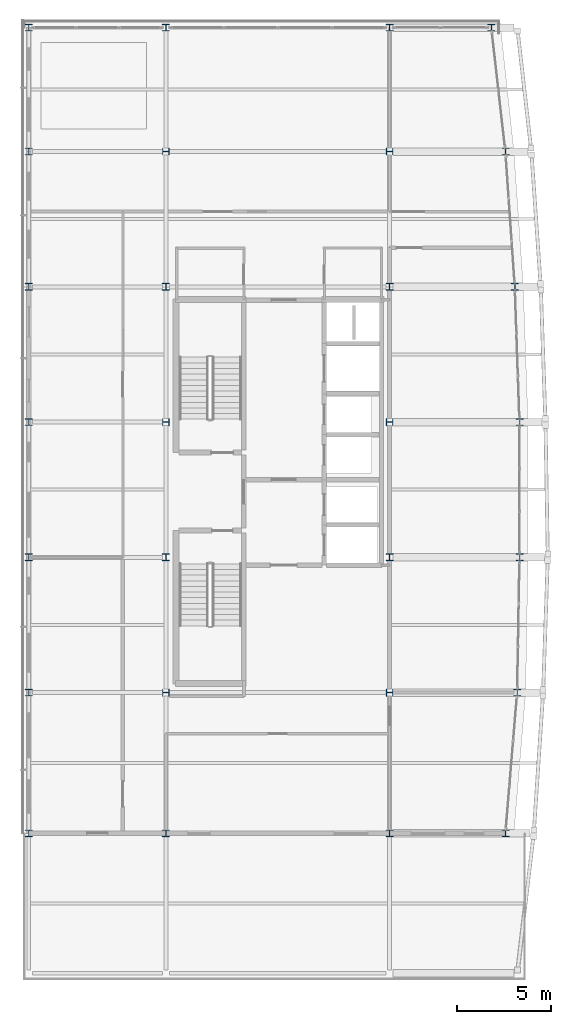
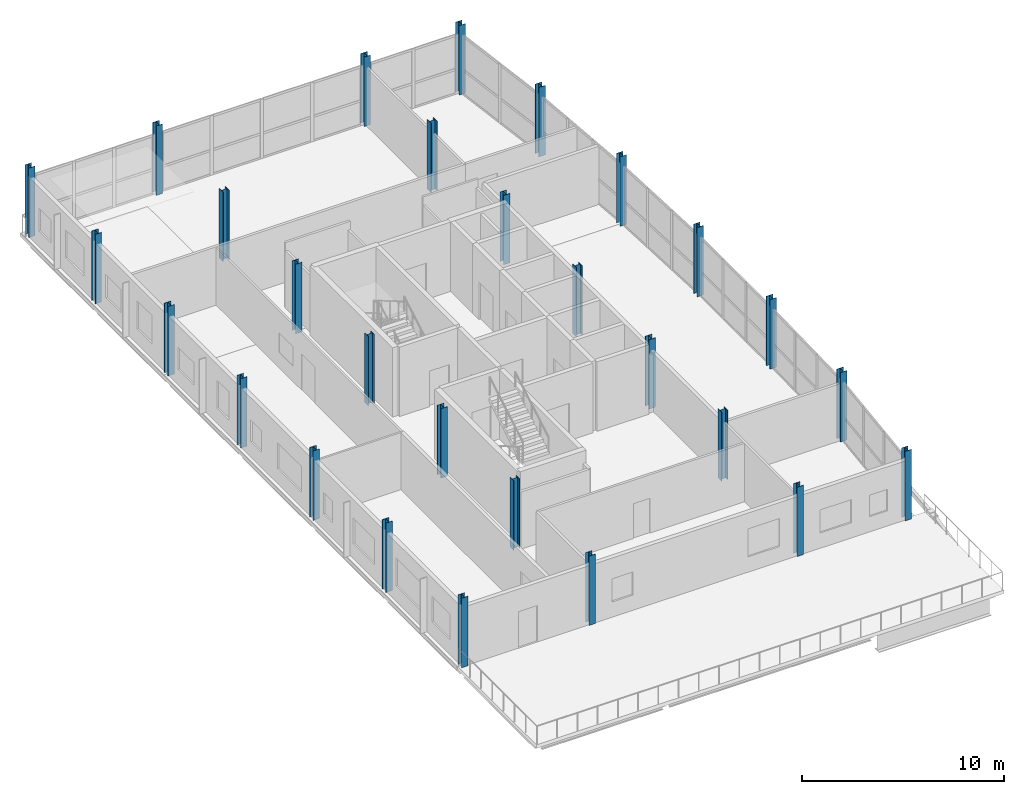
# One storey, part 1 of 19: 28 columns.
"""IFC4 building model written with IfcOpenShell, lengths in metres."""

from ifc_helpers import new_model, si_unit, direction, frame, origin, origin_2d, place, context, subcontext, project, spatial, i_section, extrude, material, material_profile, profile_set, type_object, element, save


model = new_model("IFC4")

# Units and contexts
model_context = context("Model", 3, precision=1e-05, world=origin(), true_north=direction((0.0, 1.0)))
body_context = subcontext(model_context, "Body", "Model", "MODEL_VIEW")
ifc_project = project(units=[si_unit("LENGTHUNIT", "METRE"), si_unit("AREAUNIT", "SQUARE_METRE"), si_unit("VOLUMEUNIT", "CUBIC_METRE"), si_unit("PLANEANGLEUNIT", "RADIAN"), si_unit("MASSUNIT", "GRAM", prefix="KILO")], contexts=[model_context])

# Site, building, storey
site_placement = place(None, origin())
site = spatial("IfcSite", under=ifc_project, at=site_placement, CompositionType="ELEMENT")
building_placement = place(site_placement, origin())
building = spatial("IfcBuilding", under=site, at=building_placement, Name="Quillay Park Conservatory", CompositionType="ELEMENT")
storey_placement = place(building_placement, frame((0.0, 0.0, 35.10009765625)))
storey = spatial("IfcBuildingStorey", under=building, at=storey_placement, Name="L08", CompositionType="ELEMENT", Elevation=35.10009765625)

# Columns
ifc_material = material(Name="Steel ASTM A992 Grade 50", Category="steel")
ifc_material_profile = material_profile(ifc_material, i_section(OverallWidth=0.37109375, OverallDepth=0.364013671875, WebThickness=0.01318359375, FlangeThickness=0.021728515625, FilletRadius=0.014892578125, at=origin_2d()), Name="W360x162")
ifc_profile_set = profile_set([ifc_material_profile], Name="Steel ASTM A992 Grade 50")
column_type = type_object("IfcColumnType", Name="COMPOSITE STEEL COLUMN W360 X162", PredefinedType="COLUMN", material=ifc_profile_set)
for number, where, z_axis, x_axis, name in (
    (1, (0.550048828125, 70.5, 0.0), (0.0, 0.0, 1.0), (1.0, 0.0, 0.0), "L08 column COL-V4-L08-0-0"),
    (2, (7.85009765625, 70.5, 0.0), (0.0, 0.0, 1.0), (1.0, 0.0, 0.0), "L08 column COL-V4-L08-0-1"),
    (3, (19.75, 70.5, 0.0), (0.0, 0.0, 1.0), (1.0, 0.0, 0.0), "L08 column COL-V4-L08-0-2"),
    (4, (25.925048828125, 70.5, 0.0), (0.0, 0.0, 1.0), (1.0, 0.0, 0.0), "L08 column COL-V4-L08-0-3"),
    (5, (0.550048828125, 78.0, 0.0), (0.0, 0.0, 1.0), (1.0, 0.0, 0.0), "L08 column COL-V4-L08-1-0"),
    (6, (7.85009765625, 78.0, 0.0), (0.0, 0.0, 1.0), (0.0, 1.0, 0.0), "L08 column COL-V4-L08-1-1"),
    (7, (19.75, 78.0, 0.0), (0.0, 0.0, 1.0), (0.0, 1.0, 0.0), "L08 column COL-V4-L08-1-2"),
    (8, (26.550048828125, 78.0, 0.0), (0.0, 0.0, 1.0), (1.0, 0.0, 0.0), "L08 column COL-V4-L08-1-3"),
    (9, (0.550048828125, 85.199951171875, 0.0), (0.0, 0.0, 1.0), (1.0, 0.0, 0.0), "L08 column COL-V4-L08-2-0"),
    (10, (7.85009765625, 85.199951171875, 0.0), (0.0, 0.0, 1.0), (1.0, 0.0, 0.0), "L08 column COL-V4-L08-2-1"),
    (11, (19.75, 85.199951171875, 0.0), (0.0, 0.0, 1.0), (1.0, 0.0, 0.0), "L08 column COL-V4-L08-2-2"),
    (12, (26.675048828125, 85.199951171875, 0.0), (0.0, 0.0, 1.0), (1.0, 0.0, 0.0), "L08 column COL-V4-L08-2-3"),
    (13, (0.550048828125, 92.39990234375, 0.0), (0.0, 0.0, 1.0), (1.0, 0.0, 0.0), "L08 column COL-V4-L08-3-0"),
    (14, (7.85009765625, 92.39990234375, 0.0), (0.0, 0.0, 1.0), (0.0, 1.0, 0.0), "L08 column COL-V4-L08-3-1"),
    (15, (19.75, 92.39990234375, 0.0), (0.0, 0.0, 1.0), (0.0, 1.0, 0.0), "L08 column COL-V4-L08-3-2"),
    (16, (26.675048828125, 92.39990234375, 0.0), (0.0, 0.0, 1.0), (1.0, 0.0, 0.0), "L08 column COL-V4-L08-3-3"),
    (17, (0.550048828125, 99.60009765625, 0.0), (0.0, 0.0, 1.0), (1.0, 0.0, 0.0), "L08 column COL-V4-L08-4-0"),
    (18, (7.85009765625, 99.60009765625, 0.0), (0.0, 0.0, 1.0), (1.0, 0.0, 0.0), "L08 column COL-V4-L08-4-1"),
    (19, (19.75, 99.60009765625, 0.0), (0.0, 0.0, 1.0), (1.0, 0.0, 0.0), "L08 column COL-V4-L08-4-2"),
    (20, (26.425048828125, 99.60009765625, 0.0), (0.0, 0.0, 1.0), (1.0, 0.0, 0.0), "L08 column COL-V4-L08-4-3"),
    (21, (0.550048828125, 106.800048828125, 0.0), (0.0, 0.0, 1.0), (1.0, 0.0, 0.0), "L08 column COL-V4-L08-5-0"),
    (22, (7.85009765625, 106.800048828125, 0.0), (0.0, 0.0, 1.0), (0.0, 1.0, 0.0), "L08 column COL-V4-L08-5-1"),
    (23, (19.75, 106.800048828125, 0.0), (0.0, 0.0, 1.0), (0.0, 1.0, 0.0), "L08 column COL-V4-L08-5-2"),
    (24, (25.925048828125, 106.800048828125, 0.0), (0.0, 0.0, 1.0), (1.0, 0.0, 0.0), "L08 column COL-V4-L08-5-3"),
    (25, (0.550048828125, 113.39990234375, 0.0), (0.0, 0.0, 1.0), (1.0, 0.0, 0.0), "L08 column COL-V4-L08-6-0"),
    (26, (7.85009765625, 113.39990234375, 0.0), (0.0, 0.0, 1.0), (1.0, 0.0, 0.0), "L08 column COL-V4-L08-6-1"),
    (27, (19.75, 113.39990234375, 0.0), (0.0, 0.0, 1.0), (1.0, 0.0, 0.0), "L08 column COL-V4-L08-6-2"),
    (28, (25.175048828125, 113.39990234375, 0.0), (0.0, 0.0, 1.0), (1.0, 0.0, 0.0), "L08 column COL-V4-L08-6-3"),
):
    element("IfcColumn", number, at=place(storey_placement, frame(where, z_axis=z_axis, x_axis=x_axis)), inside=storey, type_object=column_type, Name=name, PredefinedType="COLUMN", context=body_context, shape_type="SweptSolid", body=[
        extrude(i_section(OverallWidth=0.37109375, OverallDepth=0.364013671875, WebThickness=0.01318359375, FlangeThickness=0.021728515625, FilletRadius=0.014892578125, at=origin_2d()), origin(), (0.0, 0.0, 1.0), 4.199951171875),
    ])

save(model, "model.ifc")
